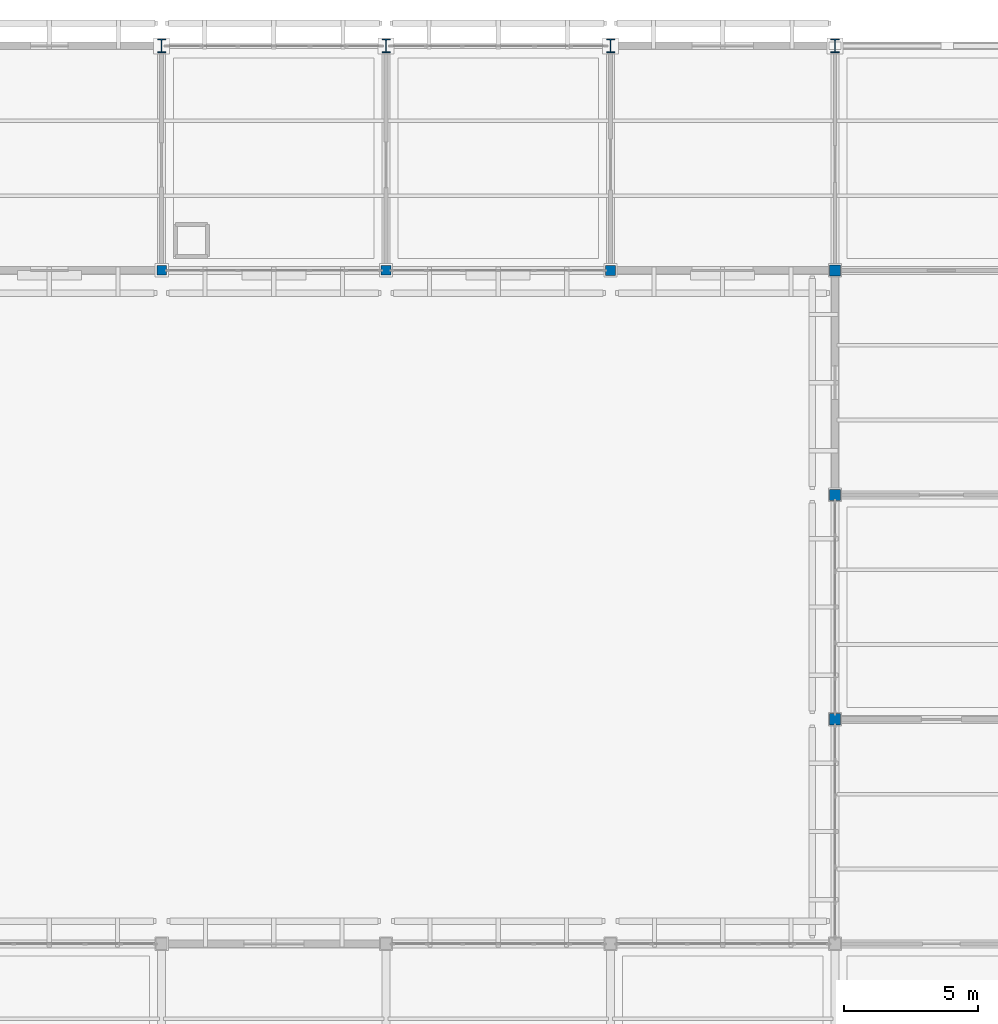
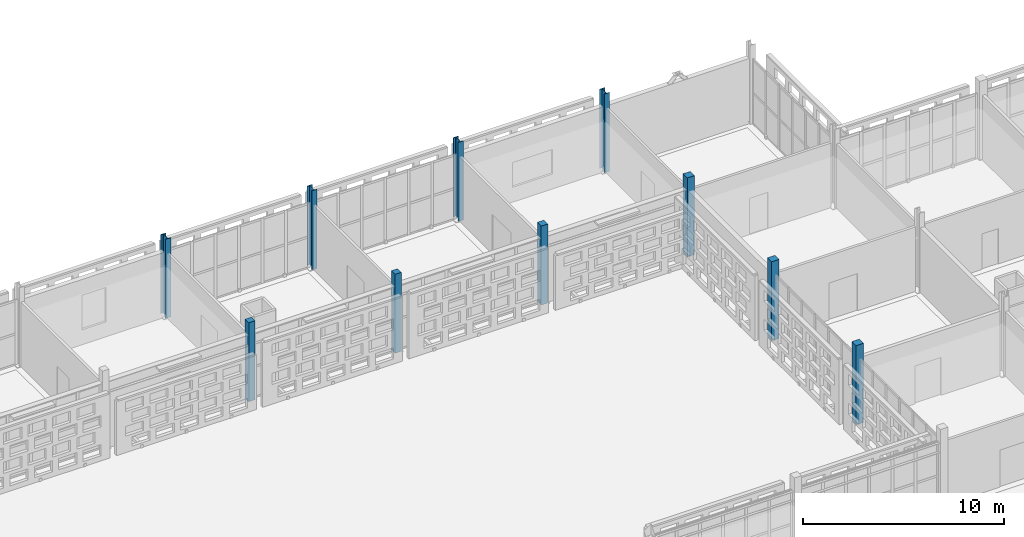
# One storey, part 10 of 203: 10 columns.
"""IFC4 building model written with IfcOpenShell, lengths in metres."""

from ifc_helpers import new_model, si_unit, direction, frame, origin, origin_2d, place, context, subcontext, project, spatial, rectangle, i_section, extrude, material, material_profile, profile_set, type_object, element, save


model = new_model("IFC4")

# Units and contexts
model_context = context("Model", 3, precision=1e-05, world=origin(), true_north=direction((0.0, 1.0)))
body_context = subcontext(model_context, "Body", "Model", "MODEL_VIEW")
ifc_project = project(units=[si_unit("LENGTHUNIT", "METRE"), si_unit("AREAUNIT", "SQUARE_METRE"), si_unit("VOLUMEUNIT", "CUBIC_METRE"), si_unit("PLANEANGLEUNIT", "RADIAN"), si_unit("MASSUNIT", "GRAM", prefix="KILO")], contexts=[model_context])

# Site, building, storey
site_placement = place(None, origin())
site = spatial("IfcSite", under=ifc_project, at=site_placement, CompositionType="ELEMENT")
building_placement = place(site_placement, origin())
building = spatial("IfcBuilding", under=site, at=building_placement, Name="Varnapada Polytechnic", CompositionType="ELEMENT")
storey_placement = place(building_placement, frame((0.0, 0.0, 4.800048828125)))
storey = spatial("IfcBuildingStorey", under=building, at=storey_placement, Name="L01", CompositionType="ELEMENT", Elevation=4.800048828125)

# Columns
ifc_material_1 = material(Name="Steel S355", Category="steel")
ifc_material_profile_1 = material_profile(ifc_material_1, i_section(OverallWidth=0.300048828125, OverallDepth=0.5, WebThickness=0.014404296875, FlangeThickness=0.028076171875, FilletRadius=0.027099609375, at=origin_2d()), Name="HEB 500")
ifc_profile_set_1 = profile_set([ifc_material_profile_1], Name="Steel S355")
column_type_1 = type_object("IfcColumnType", Name="Column C-06 (HEB 500)", PredefinedType="COLUMN", material=ifc_profile_set_1)
for number, where, z_axis, x_axis, name in (
    (1, (100.800048828125, 126.0, 0.0), (0.0, 0.0, 1.0), (1.0, 0.0, 0.0), "L01 column 13/16"),
    (2, (109.199951171875, 126.0, 0.0), (0.0, 0.0, 1.0), (1.0, 0.0, 0.0), "L01 column 14/16"),
    (3, (117.60009765625, 126.0, 0.0), (0.0, 0.0, 1.0), (1.0, 0.0, 0.0), "L01 column 15/16"),
    (4, (126.0, 126.0, 0.0), (0.0, 0.0, 1.0), (1.0, 0.0, 0.0), "L01 column 16/16"),
):
    element("IfcColumn", number, at=place(storey_placement, frame(where, z_axis=z_axis, x_axis=x_axis)), inside=storey, type_object=column_type_1, Name=name, PredefinedType="COLUMN", context=body_context, shape_type="SweptSolid", body=[
        extrude(i_section(OverallWidth=0.300048828125, OverallDepth=0.5, WebThickness=0.014404296875, FlangeThickness=0.028076171875, FilletRadius=0.027099609375, at=origin_2d()), origin(), (0.0, 0.0, 1.0), 4.800048828125),
    ])
ifc_material_2 = material(Name="Glulam GL32h", Category="wood")
ifc_material_profile_2 = material_profile(ifc_material_2, rectangle(XDim=0.360107421875, YDim=0.360107421875, at=origin_2d()), Name="GL 360x360")
ifc_profile_set_2 = profile_set([ifc_material_profile_2], Name="Glulam GL32h")
column_type_2 = type_object("IfcColumnType", Name="Column C-14 (GL 360x360)", PredefinedType="COLUMN", material=ifc_profile_set_2)
for number, where, z_axis, x_axis, name in (
    (5, (100.800048828125, 117.60009765625, 0.0), (0.0, 0.0, 1.0), (1.0, 0.0, 0.0), "L01 column 13/15"),
    (6, (109.199951171875, 117.60009765625, 0.0), (0.0, 0.0, 1.0), (1.0, 0.0, 0.0), "L01 column 14/15"),
):
    element("IfcColumn", number, at=place(storey_placement, frame(where, z_axis=z_axis, x_axis=x_axis)), inside=storey, type_object=column_type_2, Name=name, PredefinedType="COLUMN", context=body_context, shape_type="SweptSolid", body=[
        extrude(rectangle(XDim=0.360107421875, YDim=0.360107421875, at=origin_2d()), origin(), (0.0, 0.0, 1.0), 4.800048828125),
    ])
ifc_material_profile_3 = material_profile(ifc_material_2, rectangle(XDim=0.419921875, YDim=0.419921875, at=origin_2d()), Name="GL 420x420")
ifc_profile_set_3 = profile_set([ifc_material_profile_3], Name="Glulam GL32h")
column_type_3 = type_object("IfcColumnType", Name="Column C-23 (GL 420x420)", PredefinedType="COLUMN", material=ifc_profile_set_3)
for number, where, z_axis, x_axis, name in (
    (7, (126.0, 100.800048828125, 0.0), (0.0, 0.0, 1.0), (1.0, 0.0, 0.0), "L01 column 16/13"),
    (8, (126.0, 109.199951171875, 0.0), (0.0, 0.0, 1.0), (1.0, 0.0, 0.0), "L01 column 16/14"),
    (9, (126.0, 117.60009765625, 0.0), (0.0, 0.0, 1.0), (1.0, 0.0, 0.0), "L01 column 16/15"),
):
    element("IfcColumn", number, at=place(storey_placement, frame(where, z_axis=z_axis, x_axis=x_axis)), inside=storey, type_object=column_type_3, Name=name, PredefinedType="COLUMN", context=body_context, shape_type="SweptSolid", body=[
        extrude(rectangle(XDim=0.419921875, YDim=0.419921875, at=origin_2d()), origin(), (0.0, 0.0, 1.0), 4.800048828125),
    ])
ifc_material_profile_4 = material_profile(ifc_material_2, rectangle(XDim=0.3798828125, YDim=0.3798828125, at=origin_2d()), Name="GL 380x380")
ifc_profile_set_4 = profile_set([ifc_material_profile_4], Name="Glulam GL32h")
column_type_4 = type_object("IfcColumnType", Name="Column C-24 (GL 380x380)", PredefinedType="COLUMN", material=ifc_profile_set_4)
column_placement = place(storey_placement, frame((117.60009765625, 117.60009765625, 0.0), z_axis=(0.0, 0.0, 1.0), x_axis=(1.0, 0.0, 0.0)))
element("IfcColumn", 10, at=column_placement, inside=storey, type_object=column_type_4, Name="L01 column 15/15", PredefinedType="COLUMN", context=body_context, shape_type="SweptSolid", body=[
    extrude(rectangle(XDim=0.3798828125, YDim=0.3798828125, at=origin_2d()), origin(), (0.0, 0.0, 1.0), 4.800048828125),
])

save(model, "model.ifc")
